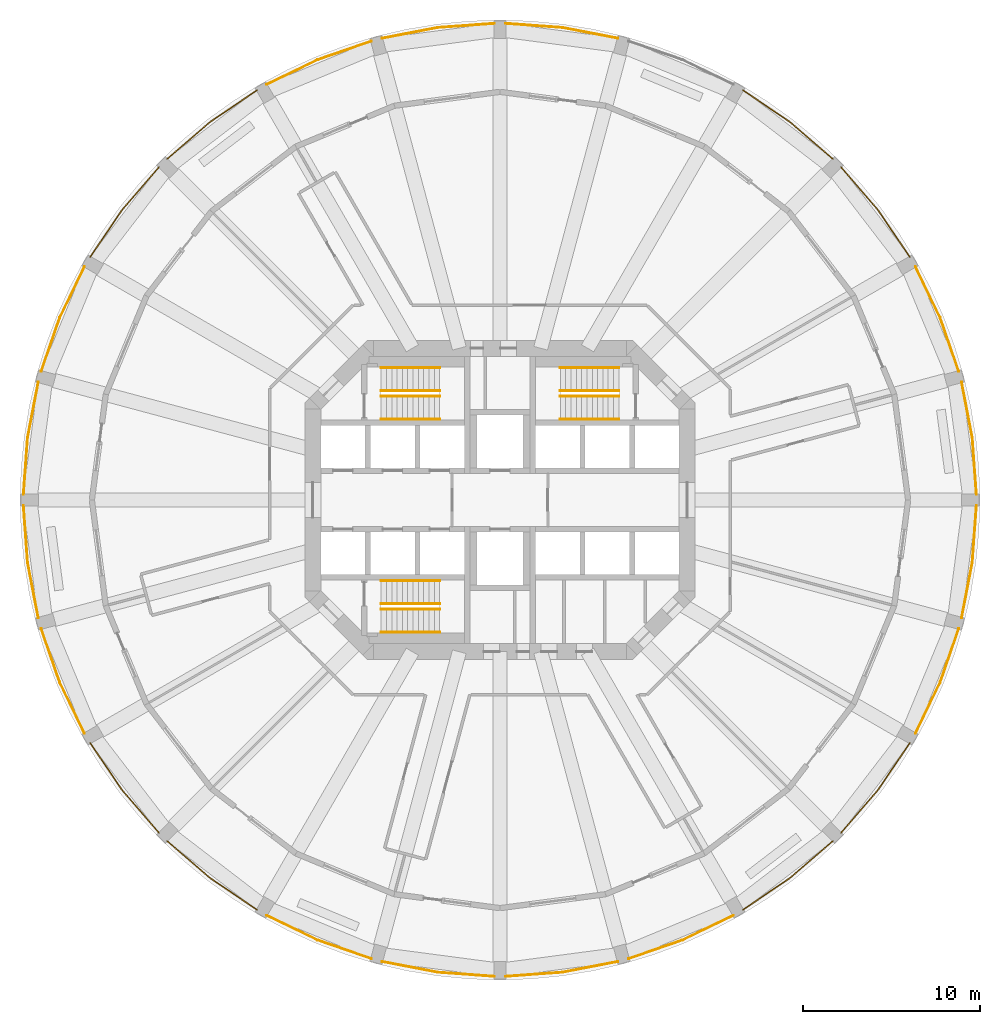
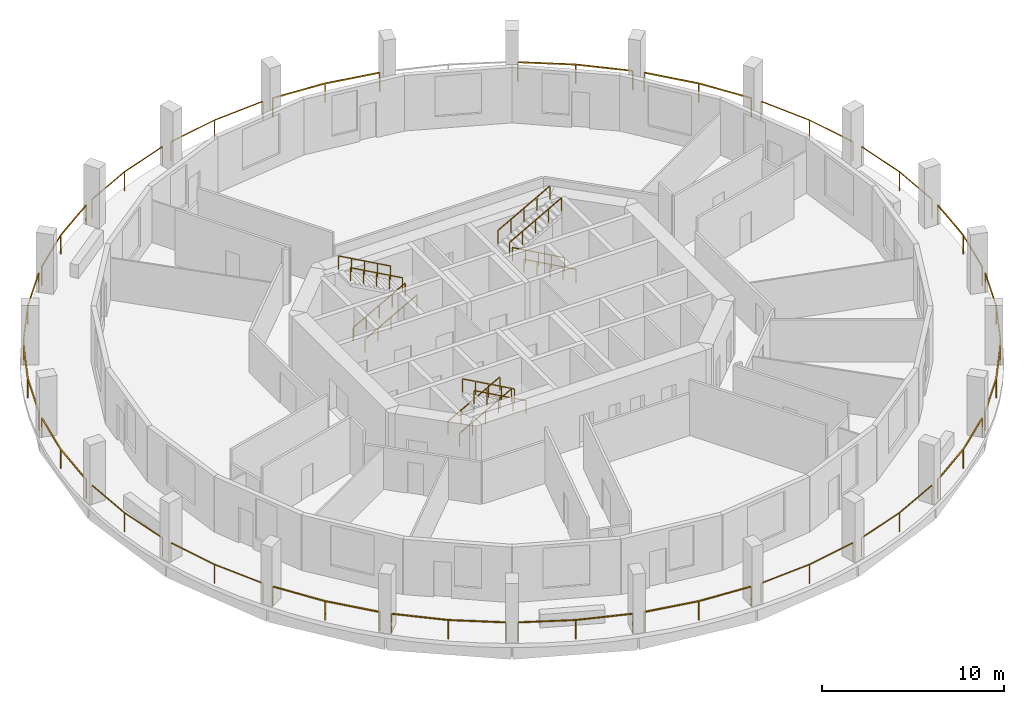
# One storey, part 8 of 9: 35 railings.
"""IFC4 building model written with IfcOpenShell, lengths in metres."""

import ifcopenshell
import ifcopenshell.guid

model = None  # the IFC model being written
_history = None  # IfcOwnerHistory: only IFC2X3 demands one
_inside = {}  # id of a spatial element -> (the spatial element, [elements in it])
_under = {}  # id of a project, library or spatial element -> (it, [spatial elements below it])
_declared = {}  # id of a project -> (the project, [libraries it declares])
_typed = {}  # id of a type object -> (the type object, [elements of that type])
_made_of = {}  # id of a material, layer set ... -> (it, [elements and type objects made of it])


def new_model(schema):
    """Start an empty IFC model of exactly this schema.

    Asked for "IFC4X3", IfcOpenShell would pick the latest addendum, in which some entities
    have other attributes; the version numbers below select the first issue.
    IFC2X3 requires an IfcOwnerHistory on every rooted entity: one is made here for all.
    """
    global model, _history
    if schema == "IFC4X3":
        model = ifcopenshell.file(schema_version=(4, 3, 0, 0))
    else:
        model = ifcopenshell.file(schema=schema)
    _inside.clear()
    _under.clear()
    _declared.clear()
    _typed.clear()
    _made_of.clear()
    _history = None
    if model.schema == "IFC2X3":
        org = make("IfcOrganization", Name="unknown")
        user = make(
            "IfcPersonAndOrganization",
            ThePerson=make("IfcPerson", FamilyName="unknown"),
            TheOrganization=org,
        )
        app = make(
            "IfcApplication",
            ApplicationDeveloper=org,
            Version="unknown",
            ApplicationFullName="unknown",
            ApplicationIdentifier="unknown",
        )
        _history = make(
            "IfcOwnerHistory",
            OwningUser=user,
            OwningApplication=app,
            ChangeAction="ADDED",
            CreationDate=0,
        )
    return model


def make(cls, **values):
    """One entity of the class cls with the attributes given. An attribute that is None is left unset."""
    return model.create_entity(
        cls, **{name: value for name, value in values.items() if value is not None}
    )


def rooted(cls, **values):
    """An entity with a GlobalId (a new one), such as an element, a storey or a relation."""
    return make(cls, GlobalId=ifcopenshell.guid.new(), OwnerHistory=_history, **values)


def si_unit(unit_type, name, prefix=None):
    """IfcSIUnit, for example si_unit("LENGTHUNIT", "METRE", prefix="MILLI")."""
    return make("IfcSIUnit", UnitType=unit_type, Prefix=prefix, Name=name)


def assignment(units):
    """IfcUnitAssignment: the units of a project."""
    return None if units is None else make("IfcUnitAssignment", Units=units)


def point(xyz):
    """IfcCartesianPoint."""
    return None if xyz is None else make("IfcCartesianPoint", Coordinates=xyz)


def direction(xyz):
    """IfcDirection."""
    return None if xyz is None else make("IfcDirection", DirectionRatios=xyz)


def frame(location, z_axis=None, x_axis=None):
    """IfcAxis2Placement3D, a coordinate frame: its origin and axes. An axis left out is left unset."""
    return make(
        "IfcAxis2Placement3D",
        Location=point(location),
        Axis=direction(z_axis),
        RefDirection=direction(x_axis),
    )


def frame_2d(location, x_axis=None):
    """IfcAxis2Placement2D, a coordinate frame in the plane: its origin and x axis."""
    return make(
        "IfcAxis2Placement2D", Location=point(location), RefDirection=direction(x_axis)
    )


def origin():
    """The frame at (0, 0, 0) with its axes left unset."""
    return frame((0.0, 0.0, 0.0))


def origin_2d():
    """The frame at (0, 0) in the plane with its x axis left unset."""
    return frame_2d((0.0, 0.0))


def place(relative_to, where):
    """IfcLocalPlacement: puts the frame where relative to a parent placement (None: the world)."""
    return make(
        "IfcLocalPlacement", PlacementRelTo=relative_to, RelativePlacement=where
    )


def context(
    kind, dimensions, precision=None, world=None, true_north=None, identifier=None
):
    """IfcGeometricRepresentationContext, for example the 3D "Model" context."""
    return make(
        "IfcGeometricRepresentationContext",
        ContextIdentifier=identifier,
        ContextType=kind,
        CoordinateSpaceDimension=dimensions,
        Precision=precision,
        WorldCoordinateSystem=world,
        TrueNorth=true_north,
    )


def subcontext(parent, identifier, kind, view, scale=None):
    """IfcGeometricRepresentationSubContext, for example "Body" below "Model"."""
    return make(
        "IfcGeometricRepresentationSubContext",
        ContextIdentifier=identifier,
        ContextType=kind,
        ParentContext=parent,
        TargetScale=scale,
        TargetView=view,
    )


def project(units=None, contexts=None):
    """IfcProject with its units and contexts."""
    return rooted(
        "IfcProject",
        Name="project",
        RepresentationContexts=contexts,
        UnitsInContext=assignment(units),
    )


def spatial(cls, under=None, at=None, **own):
    """A site, building, storey or space (cls), placed at a placement, below another one or the project."""
    s = rooted(cls, ObjectPlacement=at, **own)
    if under is not None:
        _under.setdefault(under.id(), (under, []))[1].append(s)
    return s


def profile(cls, at=None, kind="AREA", **sizes):
    """A parametric profile (cls). Its sizes go by their IFC names, for example OverallWidth=200.0."""
    return make(cls, ProfileType=kind, Position=at, **sizes)


def rectangle(**sizes):
    """IfcRectangleProfileDef."""
    return profile("IfcRectangleProfileDef", **sizes)


def extrude(swept, where, along, depth):
    """IfcExtrudedAreaSolid: the profile swept, set in the frame where, extruded along a direction by depth."""
    return make(
        "IfcExtrudedAreaSolid",
        SweptArea=swept,
        Position=where,
        ExtrudedDirection=direction(along),
        Depth=depth,
    )


def shape(context_of_items, identifier, shape_type, items):
    """IfcShapeRepresentation: the items that make up one representation, for example the "Body"."""
    return make(
        "IfcShapeRepresentation",
        ContextOfItems=context_of_items,
        RepresentationIdentifier=identifier,
        RepresentationType=shape_type,
        Items=items,
    )


def material(Name=None, Category=None):
    """IfcMaterial."""
    return make("IfcMaterial", Name=Name, Category=Category)


def made_of(thing, what):
    """Note that an element or type object is made of a material, layer set ...; save() writes the relation."""
    if what is not None:
        _made_of.setdefault(what.id(), (what, []))[1].append(thing)
    return thing


def type_object(cls, material=None, **own):
    """A type object (cls), such as IfcWallType, which elements share."""
    return made_of(rooted(cls, **own), material)


def element(
    cls,
    number,
    at=None,
    inside=None,
    cuts=None,
    type_object=None,
    material=None,
    context=None,
    identifier="Body",
    shape_type=None,
    held_by="IfcProductDefinitionShape",
    body=None,
    shapes=None,
    **own,
):
    """One element of the class cls, such as IfcWall. Its Tag is "e" and its number.

    at: its placement. inside: the storey or other place that contains it. cuts: it is an
    opening in that element (IfcRelVoidsElement). A single representation is given by context,
    identifier, shape_type and body (its items); several are given by shapes. held_by: the class
    of the entity that holds the representations. save() writes the other relations.
    """
    e = rooted(cls, Tag="e%d" % number, ObjectPlacement=at, **own)
    if body is not None:
        shapes = [shape(context, identifier, shape_type, body)]
    if shapes is not None:
        e.Representation = make(held_by, Representations=shapes)
    if inside is not None:
        _inside.setdefault(inside.id(), (inside, []))[1].append(e)
    if cuts is not None:
        rooted(
            "IfcRelVoidsElement", RelatingBuildingElement=cuts, RelatedOpeningElement=e
        )
    if type_object is not None:
        _typed.setdefault(type_object.id(), (type_object, []))[1].append(e)
    return made_of(e, material)


def aggregate(whole, parts):
    """IfcRelAggregates: a whole, such as a stair, and the parts it consists of."""
    return rooted("IfcRelAggregates", RelatingObject=whole, RelatedObjects=parts)


def save(model, path):
    """Write the relations noted so far, then the file.

    IfcRelAggregates (storeys below a building ...), IfcRelContainedInSpatialStructure (elements
    in a storey), IfcRelDefinesByType, IfcRelAssociatesMaterial and IfcRelDeclares: one each for
    every whole, place, type object, material and project.
    """
    for whole, parts in _under.values():
        aggregate(whole, parts)
    for where, things in _inside.values():
        rooted(
            "IfcRelContainedInSpatialStructure",
            RelatedElements=things,
            RelatingStructure=where,
        )
    for kind, things in _typed.values():
        rooted("IfcRelDefinesByType", RelatedObjects=things, RelatingType=kind)
    for what, things in _made_of.values():
        rooted("IfcRelAssociatesMaterial", RelatedObjects=things, RelatingMaterial=what)
    for by, libraries in _declared.values():
        rooted("IfcRelDeclares", RelatingContext=by, RelatedDefinitions=libraries)
    model.write(path)


model = new_model("IFC4")

# Units and contexts
model_context = context("Model", 3, precision=1e-05, world=origin(), true_north=direction((0.0, 1.0)))
body_context = subcontext(model_context, "Body", "Model", "MODEL_VIEW")
ifc_project = project(units=[si_unit("LENGTHUNIT", "METRE"), si_unit("AREAUNIT", "SQUARE_METRE"), si_unit("VOLUMEUNIT", "CUBIC_METRE"), si_unit("PLANEANGLEUNIT", "RADIAN"), si_unit("MASSUNIT", "GRAM", prefix="KILO")], contexts=[model_context])

# Site, building, storey
site_placement = place(None, origin())
site = spatial("IfcSite", under=ifc_project, at=site_placement, CompositionType="ELEMENT")
building_placement = place(site_placement, origin())
building = spatial("IfcBuilding", under=site, at=building_placement, Name="Torre Triforio", CompositionType="ELEMENT")
storey_placement = place(building_placement, frame((0.0, 0.0, 63.0)))
storey = spatial("IfcBuildingStorey", under=building, at=storey_placement, Name="L13", CompositionType="ELEMENT", Elevation=63.0)

# Railings
ifc_material = material(Name="Stainless steel AISI 316", Category="steel")
railing_type_1 = type_object("IfcRailingType", Name="HANDRAIL 920", PredefinedType="HANDRAIL", material=ifc_material)
for number, where, name in (
    (1, (-6.699951171875, 4.550048828125, 0.166748046875), "Handrail ST1"),
    (2, (-6.699951171875, 5.85009765625, 0.166748046875), "Handrail ST1"),
):
    element("IfcRailing", number, at=place(storey_placement, frame(where)), inside=storey, type_object=railing_type_1, Name=name, PredefinedType="HANDRAIL", context=body_context, shape_type="SweptSolid", body=[
        extrude(rectangle(XDim=0.048095703125, YDim=0.048095703125, at=origin_2d()), frame((0.0, 0.0, 0.89599609375), z_axis=(0.874169478083, 0.0, 0.485620966999), x_axis=(0.0, 1.0, 0.0)), (0.0, 0.0, 1.0), 3.775146484375),
        extrude(rectangle(XDim=0.0419921875, YDim=0.0419921875, at=origin_2d()), origin(), (0.0, 0.0, 1.0), 0.871826171875),
        extrude(rectangle(XDim=0.0419921875, YDim=0.0419921875, at=origin_2d()), frame((0.824951171875, 0.0, 0.458251953125)), (0.0, 0.0, 1.0), 0.871826171875),
        extrude(rectangle(XDim=0.0419921875, YDim=0.0419921875, at=origin_2d()), frame((1.64990234375, 0.0, 0.91650390625)), (0.0, 0.0, 1.0), 0.871826171875),
        extrude(rectangle(XDim=0.0419921875, YDim=0.0419921875, at=origin_2d()), frame((2.47509765625, 0.0, 1.375)), (0.0, 0.0, 1.0), 0.871826171875),
        extrude(rectangle(XDim=0.0419921875, YDim=0.0419921875, at=origin_2d()), frame((3.300048828125, 0.0, 1.833251953125)), (0.0, 0.0, 1.0), 0.871826171875),
    ])
for number, where, name in (
    (3, (-3.39990234375, 7.449951171875, 2.166748046875), "Handrail ST1"),
    (4, (-3.39990234375, 6.14990234375, 2.166748046875), "Handrail ST1"),
    (5, (6.699951171875, 4.550048828125, 0.166748046875), "Handrail ST2"),
    (6, (6.699951171875, 5.85009765625, 0.166748046875), "Handrail ST2"),
):
    element("IfcRailing", number, at=place(storey_placement, frame(where)), inside=storey, type_object=railing_type_1, Name=name, PredefinedType="HANDRAIL", context=body_context, shape_type="SweptSolid", body=[
        extrude(rectangle(XDim=0.048095703125, YDim=0.048095703125, at=origin_2d()), frame((0.0, 0.0, 0.89599609375), z_axis=(-0.874169478083, 0.0, 0.485620966999), x_axis=(0.0, -1.0, 0.0)), (0.0, 0.0, 1.0), 3.775146484375),
        extrude(rectangle(XDim=0.0419921875, YDim=0.0419921875, at=origin_2d()), origin(), (0.0, 0.0, 1.0), 0.871826171875),
        extrude(rectangle(XDim=0.0419921875, YDim=0.0419921875, at=origin_2d()), frame((-0.824951171875, 0.0, 0.458251953125)), (0.0, 0.0, 1.0), 0.871826171875),
        extrude(rectangle(XDim=0.0419921875, YDim=0.0419921875, at=origin_2d()), frame((-1.64990234375, 0.0, 0.91650390625)), (0.0, 0.0, 1.0), 0.871826171875),
        extrude(rectangle(XDim=0.0419921875, YDim=0.0419921875, at=origin_2d()), frame((-2.47509765625, 0.0, 1.375)), (0.0, 0.0, 1.0), 0.871826171875),
        extrude(rectangle(XDim=0.0419921875, YDim=0.0419921875, at=origin_2d()), frame((-3.300048828125, 0.0, 1.833251953125)), (0.0, 0.0, 1.0), 0.871826171875),
    ])
for number, where, name in (
    (7, (3.39990234375, 7.449951171875, 2.166748046875), "Handrail ST2"),
    (8, (3.39990234375, 6.14990234375, 2.166748046875), "Handrail ST2"),
    (9, (-6.699951171875, -4.550048828125, 0.166748046875), "Handrail ST3"),
    (10, (-6.699951171875, -5.85009765625, 0.166748046875), "Handrail ST3"),
):
    element("IfcRailing", number, at=place(storey_placement, frame(where)), inside=storey, type_object=railing_type_1, Name=name, PredefinedType="HANDRAIL", context=body_context, shape_type="SweptSolid", body=[
        extrude(rectangle(XDim=0.048095703125, YDim=0.048095703125, at=origin_2d()), frame((0.0, 0.0, 0.89599609375), z_axis=(0.874169478083, 0.0, 0.485620966999), x_axis=(0.0, 1.0, 0.0)), (0.0, 0.0, 1.0), 3.775146484375),
        extrude(rectangle(XDim=0.0419921875, YDim=0.0419921875, at=origin_2d()), origin(), (0.0, 0.0, 1.0), 0.871826171875),
        extrude(rectangle(XDim=0.0419921875, YDim=0.0419921875, at=origin_2d()), frame((0.824951171875, 0.0, 0.458251953125)), (0.0, 0.0, 1.0), 0.871826171875),
        extrude(rectangle(XDim=0.0419921875, YDim=0.0419921875, at=origin_2d()), frame((1.64990234375, 0.0, 0.91650390625)), (0.0, 0.0, 1.0), 0.871826171875),
        extrude(rectangle(XDim=0.0419921875, YDim=0.0419921875, at=origin_2d()), frame((2.47509765625, 0.0, 1.375)), (0.0, 0.0, 1.0), 0.871826171875),
        extrude(rectangle(XDim=0.0419921875, YDim=0.0419921875, at=origin_2d()), frame((3.300048828125, 0.0, 1.833251953125)), (0.0, 0.0, 1.0), 0.871826171875),
    ])
for number, where, name in (
    (11, (-3.39990234375, -7.449951171875, 2.166748046875), "Handrail ST3"),
    (12, (-3.39990234375, -6.14990234375, 2.166748046875), "Handrail ST3"),
):
    element("IfcRailing", number, at=place(storey_placement, frame(where)), inside=storey, type_object=railing_type_1, Name=name, PredefinedType="HANDRAIL", context=body_context, shape_type="SweptSolid", body=[
        extrude(rectangle(XDim=0.048095703125, YDim=0.048095703125, at=origin_2d()), frame((0.0, 0.0, 0.89599609375), z_axis=(-0.874169478083, 0.0, 0.485620966999), x_axis=(0.0, -1.0, 0.0)), (0.0, 0.0, 1.0), 3.775146484375),
        extrude(rectangle(XDim=0.0419921875, YDim=0.0419921875, at=origin_2d()), origin(), (0.0, 0.0, 1.0), 0.871826171875),
        extrude(rectangle(XDim=0.0419921875, YDim=0.0419921875, at=origin_2d()), frame((-0.824951171875, 0.0, 0.458251953125)), (0.0, 0.0, 1.0), 0.871826171875),
        extrude(rectangle(XDim=0.0419921875, YDim=0.0419921875, at=origin_2d()), frame((-1.64990234375, 0.0, 0.91650390625)), (0.0, 0.0, 1.0), 0.871826171875),
        extrude(rectangle(XDim=0.0419921875, YDim=0.0419921875, at=origin_2d()), frame((-2.47509765625, 0.0, 1.375)), (0.0, 0.0, 1.0), 0.871826171875),
        extrude(rectangle(XDim=0.0419921875, YDim=0.0419921875, at=origin_2d()), frame((-3.300048828125, 0.0, 1.833251953125)), (0.0, 0.0, 1.0), 0.871826171875),
    ])
railing_type_2 = type_object("IfcRailingType", Name="Loggia guard 1300", PredefinedType="GUARDRAIL", material=ifc_material)
railing_1_placement = place(storey_placement, frame((26.85009765625, 0.320068359375, 0.0)))
element("IfcRailing", 13, at=railing_1_placement, inside=storey, type_object=railing_type_2, Name="Loggia guard L13 bay 01", PredefinedType="GUARDRAIL", context=body_context, shape_type="SweptSolid", body=[
    extrude(rectangle(XDim=0.050048828125, YDim=0.050048828125, at=origin_2d()), frame((0.0, 0.0, 1.27490234375), z_axis=(-0.071953458998, 0.997407990613, 0.0), x_axis=(-0.997407990613, -0.071953458998, 0.0)), (0.0, 0.0, 1.0), 3.19287109375),
    extrude(rectangle(XDim=0.050048828125, YDim=0.050048828125, at=origin_2d()), frame((-0.229736328125, 3.1845703125, 1.27490234375), z_axis=(-0.188714097365, 0.982032071501, 0.0), x_axis=(-0.982032071501, -0.188714097365, 0.0)), (0.0, 0.0, 1.0), 3.19287109375),
    extrude(rectangle(XDim=0.0400390625, YDim=0.0400390625, at=origin_2d()), origin(), (0.0, 0.0, 1.0), 1.25),
    extrude(rectangle(XDim=0.0400390625, YDim=0.0400390625, at=origin_2d()), frame((-0.229736328125, 3.1845703125, 0.0)), (0.0, 0.0, 1.0), 1.25),
    extrude(rectangle(XDim=0.0400390625, YDim=0.0400390625, at=origin_2d()), frame((-0.832275390625, 6.320068359375, 0.0)), (0.0, 0.0, 1.0), 1.25),
])
railing_2_placement = place(storey_placement, frame((25.852294921875, 7.25830078125, 0.0)))
element("IfcRailing", 14, at=railing_2_placement, inside=storey, type_object=railing_type_2, Name="Loggia guard L13 bay 02", PredefinedType="GUARDRAIL", context=body_context, shape_type="SweptSolid", body=[
    extrude(rectangle(XDim=0.050048828125, YDim=0.050048828125, at=origin_2d()), frame((0.0, 0.0, 1.27490234375), z_axis=(-0.327627852034, 0.94480685358, 0.0), x_axis=(-0.94480685358, -0.327627852034, 0.0)), (0.0, 0.0, 1.0), 3.193115234375),
    extrude(rectangle(XDim=0.050048828125, YDim=0.050048828125, at=origin_2d()), frame((-1.046142578125, 3.016845703125, 1.27490234375), z_axis=(-0.436384192305, 0.899760432952, 0.0), x_axis=(-0.899760432952, -0.436384192305, 0.0)), (0.0, 0.0, 1.0), 3.19287109375),
    extrude(rectangle(XDim=0.0400390625, YDim=0.0400390625, at=origin_2d()), origin(), (0.0, 0.0, 1.0), 1.25),
    extrude(rectangle(XDim=0.0400390625, YDim=0.0400390625, at=origin_2d()), frame((-1.046142578125, 3.016845703125, 0.0)), (0.0, 0.0, 1.0), 1.25),
    extrude(rectangle(XDim=0.0400390625, YDim=0.0400390625, at=origin_2d()), frame((-2.439453125, 5.8896484375, 0.0)), (0.0, 0.0, 1.0), 1.25),
])
railing_3_placement = place(storey_placement, frame((23.0927734375, 13.7021484375, 0.0)))
element("IfcRailing", 15, at=railing_3_placement, inside=storey, type_object=railing_type_2, Name="Loggia guard L13 bay 03", PredefinedType="GUARDRAIL", context=body_context, shape_type="SweptSolid", body=[
    extrude(rectangle(XDim=0.050048828125, YDim=0.050048828125, at=origin_2d()), frame((0.0, 0.0, 1.27490234375), z_axis=(-0.561018896338, 0.82780299465, 0.0), x_axis=(-0.82780299465, -0.561018896338, 0.0)), (0.0, 0.0, 1.0), 3.19287109375),
    extrude(rectangle(XDim=0.050048828125, YDim=0.050048828125, at=origin_2d()), frame((-1.791259765625, 2.64306640625, 1.27490234375), z_axis=(-0.654385993255, 0.756160678581, 0.0), x_axis=(-0.756160678581, -0.654385993255, 0.0)), (0.0, 0.0, 1.0), 3.19287109375),
    extrude(rectangle(XDim=0.0400390625, YDim=0.0400390625, at=origin_2d()), origin(), (0.0, 0.0, 1.0), 1.25),
    extrude(rectangle(XDim=0.0400390625, YDim=0.0400390625, at=origin_2d()), frame((-1.791259765625, 2.64306640625, 0.0)), (0.0, 0.0, 1.0), 1.25),
    extrude(rectangle(XDim=0.0400390625, YDim=0.0400390625, at=origin_2d()), frame((-3.880615234375, 5.057373046875, 0.0)), (0.0, 0.0, 1.0), 1.25),
])
railing_4_placement = place(storey_placement, frame((18.759521484375, 19.212158203125, 0.0)))
element("IfcRailing", 16, at=railing_4_placement, inside=storey, type_object=railing_type_2, Name="Loggia guard L13 bay 04", PredefinedType="GUARDRAIL", context=body_context, shape_type="SweptSolid", body=[
    extrude(rectangle(XDim=0.050048828125, YDim=0.050048828125, at=origin_2d()), frame((0.0, 0.0, 1.27490234375), z_axis=(-0.756160678581, 0.654385993255, 0.0), x_axis=(-0.654385993255, -0.756160678581, 0.0)), (0.0, 0.0, 1.0), 3.19287109375),
    extrude(rectangle(XDim=0.050048828125, YDim=0.050048828125, at=origin_2d()), frame((-2.414306640625, 2.08935546875, 1.27490234375), z_axis=(-0.82780299465, 0.561018896338, 0.0), x_axis=(-0.561018896338, -0.82780299465, 0.0)), (0.0, 0.0, 1.0), 3.19287109375),
    extrude(rectangle(XDim=0.0400390625, YDim=0.0400390625, at=origin_2d()), origin(), (0.0, 0.0, 1.0), 1.25),
    extrude(rectangle(XDim=0.0400390625, YDim=0.0400390625, at=origin_2d()), frame((-2.414306640625, 2.08935546875, 0.0)), (0.0, 0.0, 1.0), 1.25),
    extrude(rectangle(XDim=0.0400390625, YDim=0.0400390625, at=origin_2d()), frame((-5.057373046875, 3.880615234375, 0.0)), (0.0, 0.0, 1.0), 1.25),
])
railing_5_placement = place(storey_placement, frame((6.64013671875, 26.017822265625, 0.0)))
element("IfcRailing", 17, at=railing_5_placement, inside=storey, type_object=railing_type_2, Name="Loggia guard L13 bay 06", PredefinedType="GUARDRAIL", context=body_context, shape_type="SweptSolid", body=[
    extrude(rectangle(XDim=0.050048828125, YDim=0.050048828125, at=origin_2d()), frame((0.0, 0.0, 1.27490234375), z_axis=(-0.982032071501, 0.188714097365, 0.0), x_axis=(-0.188714097365, -0.982032071501, 0.0)), (0.0, 0.0, 1.0), 3.19287109375),
    extrude(rectangle(XDim=0.050048828125, YDim=0.050048828125, at=origin_2d()), frame((-3.135498046875, 0.6025390625, 1.27490234375), z_axis=(-0.997407990613, 0.071953458998, 0.0), x_axis=(-0.071953458998, -0.997407990613, 0.0)), (0.0, 0.0, 1.0), 3.19287109375),
    extrude(rectangle(XDim=0.0400390625, YDim=0.0400390625, at=origin_2d()), origin(), (0.0, 0.0, 1.0), 1.25),
    extrude(rectangle(XDim=0.0400390625, YDim=0.0400390625, at=origin_2d()), frame((-3.135498046875, 0.6025390625, 0.0)), (0.0, 0.0, 1.0), 1.25),
    extrude(rectangle(XDim=0.0400390625, YDim=0.0400390625, at=origin_2d()), frame((-6.320068359375, 0.832275390625, 0.0)), (0.0, 0.0, 1.0), 1.25),
])
railing_6_placement = place(storey_placement, frame((-0.320068359375, 26.85009765625, 0.0)))
element("IfcRailing", 18, at=railing_6_placement, inside=storey, type_object=railing_type_2, Name="Loggia guard L13 bay 07", PredefinedType="GUARDRAIL", context=body_context, shape_type="SweptSolid", body=[
    extrude(rectangle(XDim=0.050048828125, YDim=0.050048828125, at=origin_2d()), frame((0.0, 0.0, 1.27490234375), z_axis=(-0.997407990613, -0.071953458998, 0.0), x_axis=(0.071953458998, -0.997407990613, 0.0)), (0.0, 0.0, 1.0), 3.19287109375),
    extrude(rectangle(XDim=0.050048828125, YDim=0.050048828125, at=origin_2d()), frame((-3.1845703125, -0.229736328125, 1.27490234375), z_axis=(-0.982032071501, -0.188714097365, 0.0), x_axis=(0.188714097365, -0.982032071501, 0.0)), (0.0, 0.0, 1.0), 3.19287109375),
    extrude(rectangle(XDim=0.0400390625, YDim=0.0400390625, at=origin_2d()), origin(), (0.0, 0.0, 1.0), 1.25),
    extrude(rectangle(XDim=0.0400390625, YDim=0.0400390625, at=origin_2d()), frame((-3.1845703125, -0.229736328125, 0.0)), (0.0, 0.0, 1.0), 1.25),
    extrude(rectangle(XDim=0.0400390625, YDim=0.0400390625, at=origin_2d()), frame((-6.320068359375, -0.832275390625, 0.0)), (0.0, 0.0, 1.0), 1.25),
])
railing_7_placement = place(storey_placement, frame((-7.25830078125, 25.852294921875, 0.0)))
element("IfcRailing", 19, at=railing_7_placement, inside=storey, type_object=railing_type_2, Name="Loggia guard L13 bay 08", PredefinedType="GUARDRAIL", context=body_context, shape_type="SweptSolid", body=[
    extrude(rectangle(XDim=0.050048828125, YDim=0.050048828125, at=origin_2d()), frame((0.0, 0.0, 1.27490234375), z_axis=(-0.94480685358, -0.327627852034, 0.0), x_axis=(0.327627852034, -0.94480685358, 0.0)), (0.0, 0.0, 1.0), 3.193115234375),
    extrude(rectangle(XDim=0.050048828125, YDim=0.050048828125, at=origin_2d()), frame((-3.016845703125, -1.046142578125, 1.27490234375), z_axis=(-0.899760432952, -0.436384192305, 0.0), x_axis=(0.436384192305, -0.899760432952, 0.0)), (0.0, 0.0, 1.0), 3.19287109375),
    extrude(rectangle(XDim=0.0400390625, YDim=0.0400390625, at=origin_2d()), origin(), (0.0, 0.0, 1.0), 1.25),
    extrude(rectangle(XDim=0.0400390625, YDim=0.0400390625, at=origin_2d()), frame((-3.016845703125, -1.046142578125, 0.0)), (0.0, 0.0, 1.0), 1.25),
    extrude(rectangle(XDim=0.0400390625, YDim=0.0400390625, at=origin_2d()), frame((-5.8896484375, -2.439453125, 0.0)), (0.0, 0.0, 1.0), 1.25),
])
railing_8_placement = place(storey_placement, frame((-13.7021484375, 23.0927734375, 0.0)))
element("IfcRailing", 20, at=railing_8_placement, inside=storey, type_object=railing_type_2, Name="Loggia guard L13 bay 09", PredefinedType="GUARDRAIL", context=body_context, shape_type="SweptSolid", body=[
    extrude(rectangle(XDim=0.050048828125, YDim=0.050048828125, at=origin_2d()), frame((0.0, 0.0, 1.27490234375), z_axis=(-0.82780299465, -0.561018896338, 0.0), x_axis=(0.561018896338, -0.82780299465, 0.0)), (0.0, 0.0, 1.0), 3.19287109375),
    extrude(rectangle(XDim=0.050048828125, YDim=0.050048828125, at=origin_2d()), frame((-2.64306640625, -1.791259765625, 1.27490234375), z_axis=(-0.756160678581, -0.654385993255, 0.0), x_axis=(0.654385993255, -0.756160678581, 0.0)), (0.0, 0.0, 1.0), 3.19287109375),
    extrude(rectangle(XDim=0.0400390625, YDim=0.0400390625, at=origin_2d()), origin(), (0.0, 0.0, 1.0), 1.25),
    extrude(rectangle(XDim=0.0400390625, YDim=0.0400390625, at=origin_2d()), frame((-2.64306640625, -1.791259765625, 0.0)), (0.0, 0.0, 1.0), 1.25),
    extrude(rectangle(XDim=0.0400390625, YDim=0.0400390625, at=origin_2d()), frame((-5.057373046875, -3.880615234375, 0.0)), (0.0, 0.0, 1.0), 1.25),
])
railing_9_placement = place(storey_placement, frame((-19.212158203125, 18.759521484375, 0.0)))
element("IfcRailing", 21, at=railing_9_placement, inside=storey, type_object=railing_type_2, Name="Loggia guard L13 bay 10", PredefinedType="GUARDRAIL", context=body_context, shape_type="SweptSolid", body=[
    extrude(rectangle(XDim=0.050048828125, YDim=0.050048828125, at=origin_2d()), frame((0.0, 0.0, 1.27490234375), z_axis=(-0.654385993255, -0.756160678581, 0.0), x_axis=(0.756160678581, -0.654385993255, 0.0)), (0.0, 0.0, 1.0), 3.19287109375),
    extrude(rectangle(XDim=0.050048828125, YDim=0.050048828125, at=origin_2d()), frame((-2.08935546875, -2.414306640625, 1.27490234375), z_axis=(-0.561018896338, -0.82780299465, 0.0), x_axis=(0.82780299465, -0.561018896338, 0.0)), (0.0, 0.0, 1.0), 3.19287109375),
    extrude(rectangle(XDim=0.0400390625, YDim=0.0400390625, at=origin_2d()), origin(), (0.0, 0.0, 1.0), 1.25),
    extrude(rectangle(XDim=0.0400390625, YDim=0.0400390625, at=origin_2d()), frame((-2.08935546875, -2.414306640625, 0.0)), (0.0, 0.0, 1.0), 1.25),
    extrude(rectangle(XDim=0.0400390625, YDim=0.0400390625, at=origin_2d()), frame((-3.880615234375, -5.057373046875, 0.0)), (0.0, 0.0, 1.0), 1.25),
])
railing_10_placement = place(storey_placement, frame((-23.412841796875, 13.14794921875, 0.0)))
element("IfcRailing", 22, at=railing_10_placement, inside=storey, type_object=railing_type_2, Name="Loggia guard L13 bay 11", PredefinedType="GUARDRAIL", context=body_context, shape_type="SweptSolid", body=[
    extrude(rectangle(XDim=0.050048828125, YDim=0.050048828125, at=origin_2d()), frame((0.0, 0.0, 1.27490234375), z_axis=(-0.436384192305, -0.899760432952, 0.0), x_axis=(0.899760432952, -0.436384192305, 0.0)), (0.0, 0.0, 1.0), 3.19287109375),
    extrude(rectangle(XDim=0.050048828125, YDim=0.050048828125, at=origin_2d()), frame((-1.393310546875, -2.872802734375, 1.27490234375), z_axis=(-0.327627852034, -0.94480685358, 0.0), x_axis=(0.94480685358, -0.327627852034, 0.0)), (0.0, 0.0, 1.0), 3.193115234375),
    extrude(rectangle(XDim=0.0400390625, YDim=0.0400390625, at=origin_2d()), origin(), (0.0, 0.0, 1.0), 1.25),
    extrude(rectangle(XDim=0.0400390625, YDim=0.0400390625, at=origin_2d()), frame((-1.393310546875, -2.872802734375, 0.0)), (0.0, 0.0, 1.0), 1.25),
    extrude(rectangle(XDim=0.0400390625, YDim=0.0400390625, at=origin_2d()), frame((-2.439453125, -5.8896484375, 0.0)), (0.0, 0.0, 1.0), 1.25),
])
railing_11_placement = place(storey_placement, frame((-26.017822265625, 6.64013671875, 0.0)))
element("IfcRailing", 23, at=railing_11_placement, inside=storey, type_object=railing_type_2, Name="Loggia guard L13 bay 12", PredefinedType="GUARDRAIL", context=body_context, shape_type="SweptSolid", body=[
    extrude(rectangle(XDim=0.050048828125, YDim=0.050048828125, at=origin_2d()), frame((0.0, 0.0, 1.27490234375), z_axis=(-0.188714097365, -0.982032071501, 0.0), x_axis=(0.982032071501, -0.188714097365, 0.0)), (0.0, 0.0, 1.0), 3.19287109375),
    extrude(rectangle(XDim=0.050048828125, YDim=0.050048828125, at=origin_2d()), frame((-0.6025390625, -3.135498046875, 1.27490234375), z_axis=(-0.071953458998, -0.997407990613, 0.0), x_axis=(0.997407990613, -0.071953458998, 0.0)), (0.0, 0.0, 1.0), 3.19287109375),
    extrude(rectangle(XDim=0.0400390625, YDim=0.0400390625, at=origin_2d()), origin(), (0.0, 0.0, 1.0), 1.25),
    extrude(rectangle(XDim=0.0400390625, YDim=0.0400390625, at=origin_2d()), frame((-0.6025390625, -3.135498046875, 0.0)), (0.0, 0.0, 1.0), 1.25),
    extrude(rectangle(XDim=0.0400390625, YDim=0.0400390625, at=origin_2d()), frame((-0.832275390625, -6.320068359375, 0.0)), (0.0, 0.0, 1.0), 1.25),
])
railing_12_placement = place(storey_placement, frame((-26.85009765625, -0.320068359375, 0.0)))
element("IfcRailing", 24, at=railing_12_placement, inside=storey, type_object=railing_type_2, Name="Loggia guard L13 bay 13", PredefinedType="GUARDRAIL", context=body_context, shape_type="SweptSolid", body=[
    extrude(rectangle(XDim=0.050048828125, YDim=0.050048828125, at=origin_2d()), frame((0.0, 0.0, 1.27490234375), z_axis=(0.071953458998, -0.997407990613, 0.0), x_axis=(0.997407990613, 0.071953458998, 0.0)), (0.0, 0.0, 1.0), 3.19287109375),
    extrude(rectangle(XDim=0.050048828125, YDim=0.050048828125, at=origin_2d()), frame((0.229736328125, -3.1845703125, 1.27490234375), z_axis=(0.188714097365, -0.982032071501, 0.0), x_axis=(0.982032071501, 0.188714097365, 0.0)), (0.0, 0.0, 1.0), 3.19287109375),
    extrude(rectangle(XDim=0.0400390625, YDim=0.0400390625, at=origin_2d()), origin(), (0.0, 0.0, 1.0), 1.25),
    extrude(rectangle(XDim=0.0400390625, YDim=0.0400390625, at=origin_2d()), frame((0.229736328125, -3.1845703125, 0.0)), (0.0, 0.0, 1.0), 1.25),
    extrude(rectangle(XDim=0.0400390625, YDim=0.0400390625, at=origin_2d()), frame((0.832275390625, -6.320068359375, 0.0)), (0.0, 0.0, 1.0), 1.25),
])
railing_13_placement = place(storey_placement, frame((-25.852294921875, -7.25830078125, 0.0)))
element("IfcRailing", 25, at=railing_13_placement, inside=storey, type_object=railing_type_2, Name="Loggia guard L13 bay 14", PredefinedType="GUARDRAIL", context=body_context, shape_type="SweptSolid", body=[
    extrude(rectangle(XDim=0.050048828125, YDim=0.050048828125, at=origin_2d()), frame((0.0, 0.0, 1.27490234375), z_axis=(0.327627852034, -0.94480685358, 0.0), x_axis=(0.94480685358, 0.327627852034, 0.0)), (0.0, 0.0, 1.0), 3.193115234375),
    extrude(rectangle(XDim=0.050048828125, YDim=0.050048828125, at=origin_2d()), frame((1.046142578125, -3.016845703125, 1.27490234375), z_axis=(0.436384192305, -0.899760432952, 0.0), x_axis=(0.899760432952, 0.436384192305, 0.0)), (0.0, 0.0, 1.0), 3.19287109375),
    extrude(rectangle(XDim=0.0400390625, YDim=0.0400390625, at=origin_2d()), origin(), (0.0, 0.0, 1.0), 1.25),
    extrude(rectangle(XDim=0.0400390625, YDim=0.0400390625, at=origin_2d()), frame((1.046142578125, -3.016845703125, 0.0)), (0.0, 0.0, 1.0), 1.25),
    extrude(rectangle(XDim=0.0400390625, YDim=0.0400390625, at=origin_2d()), frame((2.439453125, -5.8896484375, 0.0)), (0.0, 0.0, 1.0), 1.25),
])
railing_14_placement = place(storey_placement, frame((-23.0927734375, -13.7021484375, 0.0)))
element("IfcRailing", 26, at=railing_14_placement, inside=storey, type_object=railing_type_2, Name="Loggia guard L13 bay 15", PredefinedType="GUARDRAIL", context=body_context, shape_type="SweptSolid", body=[
    extrude(rectangle(XDim=0.050048828125, YDim=0.050048828125, at=origin_2d()), frame((0.0, 0.0, 1.27490234375), z_axis=(0.561018896338, -0.82780299465, 0.0), x_axis=(0.82780299465, 0.561018896338, 0.0)), (0.0, 0.0, 1.0), 3.19287109375),
    extrude(rectangle(XDim=0.050048828125, YDim=0.050048828125, at=origin_2d()), frame((1.791259765625, -2.64306640625, 1.27490234375), z_axis=(0.654385993255, -0.756160678581, 0.0), x_axis=(0.756160678581, 0.654385993255, 0.0)), (0.0, 0.0, 1.0), 3.19287109375),
    extrude(rectangle(XDim=0.0400390625, YDim=0.0400390625, at=origin_2d()), origin(), (0.0, 0.0, 1.0), 1.25),
    extrude(rectangle(XDim=0.0400390625, YDim=0.0400390625, at=origin_2d()), frame((1.791259765625, -2.64306640625, 0.0)), (0.0, 0.0, 1.0), 1.25),
    extrude(rectangle(XDim=0.0400390625, YDim=0.0400390625, at=origin_2d()), frame((3.880615234375, -5.057373046875, 0.0)), (0.0, 0.0, 1.0), 1.25),
])
railing_15_placement = place(storey_placement, frame((-18.759521484375, -19.212158203125, 0.0)))
element("IfcRailing", 27, at=railing_15_placement, inside=storey, type_object=railing_type_2, Name="Loggia guard L13 bay 16", PredefinedType="GUARDRAIL", context=body_context, shape_type="SweptSolid", body=[
    extrude(rectangle(XDim=0.050048828125, YDim=0.050048828125, at=origin_2d()), frame((0.0, 0.0, 1.27490234375), z_axis=(0.756160678581, -0.654385993255, 0.0), x_axis=(0.654385993255, 0.756160678581, 0.0)), (0.0, 0.0, 1.0), 3.19287109375),
    extrude(rectangle(XDim=0.050048828125, YDim=0.050048828125, at=origin_2d()), frame((2.414306640625, -2.08935546875, 1.27490234375), z_axis=(0.82780299465, -0.561018896338, 0.0), x_axis=(0.561018896338, 0.82780299465, 0.0)), (0.0, 0.0, 1.0), 3.19287109375),
    extrude(rectangle(XDim=0.0400390625, YDim=0.0400390625, at=origin_2d()), origin(), (0.0, 0.0, 1.0), 1.25),
    extrude(rectangle(XDim=0.0400390625, YDim=0.0400390625, at=origin_2d()), frame((2.414306640625, -2.08935546875, 0.0)), (0.0, 0.0, 1.0), 1.25),
    extrude(rectangle(XDim=0.0400390625, YDim=0.0400390625, at=origin_2d()), frame((5.057373046875, -3.880615234375, 0.0)), (0.0, 0.0, 1.0), 1.25),
])
railing_16_placement = place(storey_placement, frame((-13.14794921875, -23.412841796875, 0.0)))
element("IfcRailing", 28, at=railing_16_placement, inside=storey, type_object=railing_type_2, Name="Loggia guard L13 bay 17", PredefinedType="GUARDRAIL", context=body_context, shape_type="SweptSolid", body=[
    extrude(rectangle(XDim=0.050048828125, YDim=0.050048828125, at=origin_2d()), frame((0.0, 0.0, 1.27490234375), z_axis=(0.899760432952, -0.436384192305, 0.0), x_axis=(0.436384192305, 0.899760432952, 0.0)), (0.0, 0.0, 1.0), 3.19287109375),
    extrude(rectangle(XDim=0.050048828125, YDim=0.050048828125, at=origin_2d()), frame((2.872802734375, -1.393310546875, 1.27490234375), z_axis=(0.94480685358, -0.327627852034, 0.0), x_axis=(0.327627852034, 0.94480685358, 0.0)), (0.0, 0.0, 1.0), 3.193115234375),
    extrude(rectangle(XDim=0.0400390625, YDim=0.0400390625, at=origin_2d()), origin(), (0.0, 0.0, 1.0), 1.25),
    extrude(rectangle(XDim=0.0400390625, YDim=0.0400390625, at=origin_2d()), frame((2.872802734375, -1.393310546875, 0.0)), (0.0, 0.0, 1.0), 1.25),
    extrude(rectangle(XDim=0.0400390625, YDim=0.0400390625, at=origin_2d()), frame((5.8896484375, -2.439453125, 0.0)), (0.0, 0.0, 1.0), 1.25),
])
railing_17_placement = place(storey_placement, frame((-6.64013671875, -26.017822265625, 0.0)))
element("IfcRailing", 29, at=railing_17_placement, inside=storey, type_object=railing_type_2, Name="Loggia guard L13 bay 18", PredefinedType="GUARDRAIL", context=body_context, shape_type="SweptSolid", body=[
    extrude(rectangle(XDim=0.050048828125, YDim=0.050048828125, at=origin_2d()), frame((0.0, 0.0, 1.27490234375), z_axis=(0.982032071501, -0.188714097365, 0.0), x_axis=(0.188714097365, 0.982032071501, 0.0)), (0.0, 0.0, 1.0), 3.19287109375),
    extrude(rectangle(XDim=0.050048828125, YDim=0.050048828125, at=origin_2d()), frame((3.135498046875, -0.6025390625, 1.27490234375), z_axis=(0.997407990613, -0.071953458998, 0.0), x_axis=(0.071953458998, 0.997407990613, 0.0)), (0.0, 0.0, 1.0), 3.19287109375),
    extrude(rectangle(XDim=0.0400390625, YDim=0.0400390625, at=origin_2d()), origin(), (0.0, 0.0, 1.0), 1.25),
    extrude(rectangle(XDim=0.0400390625, YDim=0.0400390625, at=origin_2d()), frame((3.135498046875, -0.6025390625, 0.0)), (0.0, 0.0, 1.0), 1.25),
    extrude(rectangle(XDim=0.0400390625, YDim=0.0400390625, at=origin_2d()), frame((6.320068359375, -0.832275390625, 0.0)), (0.0, 0.0, 1.0), 1.25),
])
railing_18_placement = place(storey_placement, frame((0.320068359375, -26.85009765625, 0.0)))
element("IfcRailing", 30, at=railing_18_placement, inside=storey, type_object=railing_type_2, Name="Loggia guard L13 bay 19", PredefinedType="GUARDRAIL", context=body_context, shape_type="SweptSolid", body=[
    extrude(rectangle(XDim=0.050048828125, YDim=0.050048828125, at=origin_2d()), frame((0.0, 0.0, 1.27490234375), z_axis=(0.997407990613, 0.071953458998, 0.0), x_axis=(-0.071953458998, 0.997407990613, 0.0)), (0.0, 0.0, 1.0), 3.19287109375),
    extrude(rectangle(XDim=0.050048828125, YDim=0.050048828125, at=origin_2d()), frame((3.1845703125, 0.229736328125, 1.27490234375), z_axis=(0.982032071501, 0.188714097365, 0.0), x_axis=(-0.188714097365, 0.982032071501, 0.0)), (0.0, 0.0, 1.0), 3.19287109375),
    extrude(rectangle(XDim=0.0400390625, YDim=0.0400390625, at=origin_2d()), origin(), (0.0, 0.0, 1.0), 1.25),
    extrude(rectangle(XDim=0.0400390625, YDim=0.0400390625, at=origin_2d()), frame((3.1845703125, 0.229736328125, 0.0)), (0.0, 0.0, 1.0), 1.25),
    extrude(rectangle(XDim=0.0400390625, YDim=0.0400390625, at=origin_2d()), frame((6.320068359375, 0.832275390625, 0.0)), (0.0, 0.0, 1.0), 1.25),
])
railing_19_placement = place(storey_placement, frame((7.25830078125, -25.852294921875, 0.0)))
element("IfcRailing", 31, at=railing_19_placement, inside=storey, type_object=railing_type_2, Name="Loggia guard L13 bay 20", PredefinedType="GUARDRAIL", context=body_context, shape_type="SweptSolid", body=[
    extrude(rectangle(XDim=0.050048828125, YDim=0.050048828125, at=origin_2d()), frame((0.0, 0.0, 1.27490234375), z_axis=(0.94480685358, 0.327627852034, 0.0), x_axis=(-0.327627852034, 0.94480685358, 0.0)), (0.0, 0.0, 1.0), 3.193115234375),
    extrude(rectangle(XDim=0.050048828125, YDim=0.050048828125, at=origin_2d()), frame((3.016845703125, 1.046142578125, 1.27490234375), z_axis=(0.899760432952, 0.436384192305, 0.0), x_axis=(-0.436384192305, 0.899760432952, 0.0)), (0.0, 0.0, 1.0), 3.19287109375),
    extrude(rectangle(XDim=0.0400390625, YDim=0.0400390625, at=origin_2d()), origin(), (0.0, 0.0, 1.0), 1.25),
    extrude(rectangle(XDim=0.0400390625, YDim=0.0400390625, at=origin_2d()), frame((3.016845703125, 1.046142578125, 0.0)), (0.0, 0.0, 1.0), 1.25),
    extrude(rectangle(XDim=0.0400390625, YDim=0.0400390625, at=origin_2d()), frame((5.8896484375, 2.439453125, 0.0)), (0.0, 0.0, 1.0), 1.25),
])
railing_20_placement = place(storey_placement, frame((13.7021484375, -23.0927734375, 0.0)))
element("IfcRailing", 32, at=railing_20_placement, inside=storey, type_object=railing_type_2, Name="Loggia guard L13 bay 21", PredefinedType="GUARDRAIL", context=body_context, shape_type="SweptSolid", body=[
    extrude(rectangle(XDim=0.050048828125, YDim=0.050048828125, at=origin_2d()), frame((0.0, 0.0, 1.27490234375), z_axis=(0.82780299465, 0.561018896338, 0.0), x_axis=(-0.561018896338, 0.82780299465, 0.0)), (0.0, 0.0, 1.0), 3.19287109375),
    extrude(rectangle(XDim=0.050048828125, YDim=0.050048828125, at=origin_2d()), frame((2.64306640625, 1.791259765625, 1.27490234375), z_axis=(0.756160678581, 0.654385993255, 0.0), x_axis=(-0.654385993255, 0.756160678581, 0.0)), (0.0, 0.0, 1.0), 3.19287109375),
    extrude(rectangle(XDim=0.0400390625, YDim=0.0400390625, at=origin_2d()), origin(), (0.0, 0.0, 1.0), 1.25),
    extrude(rectangle(XDim=0.0400390625, YDim=0.0400390625, at=origin_2d()), frame((2.64306640625, 1.791259765625, 0.0)), (0.0, 0.0, 1.0), 1.25),
    extrude(rectangle(XDim=0.0400390625, YDim=0.0400390625, at=origin_2d()), frame((5.057373046875, 3.880615234375, 0.0)), (0.0, 0.0, 1.0), 1.25),
])
railing_21_placement = place(storey_placement, frame((19.212158203125, -18.759521484375, 0.0)))
element("IfcRailing", 33, at=railing_21_placement, inside=storey, type_object=railing_type_2, Name="Loggia guard L13 bay 22", PredefinedType="GUARDRAIL", context=body_context, shape_type="SweptSolid", body=[
    extrude(rectangle(XDim=0.050048828125, YDim=0.050048828125, at=origin_2d()), frame((0.0, 0.0, 1.27490234375), z_axis=(0.654385993255, 0.756160678581, 0.0), x_axis=(-0.756160678581, 0.654385993255, 0.0)), (0.0, 0.0, 1.0), 3.19287109375),
    extrude(rectangle(XDim=0.050048828125, YDim=0.050048828125, at=origin_2d()), frame((2.08935546875, 2.414306640625, 1.27490234375), z_axis=(0.561018896338, 0.82780299465, 0.0), x_axis=(-0.82780299465, 0.561018896338, 0.0)), (0.0, 0.0, 1.0), 3.19287109375),
    extrude(rectangle(XDim=0.0400390625, YDim=0.0400390625, at=origin_2d()), origin(), (0.0, 0.0, 1.0), 1.25),
    extrude(rectangle(XDim=0.0400390625, YDim=0.0400390625, at=origin_2d()), frame((2.08935546875, 2.414306640625, 0.0)), (0.0, 0.0, 1.0), 1.25),
    extrude(rectangle(XDim=0.0400390625, YDim=0.0400390625, at=origin_2d()), frame((3.880615234375, 5.057373046875, 0.0)), (0.0, 0.0, 1.0), 1.25),
])
railing_22_placement = place(storey_placement, frame((23.412841796875, -13.14794921875, 0.0)))
element("IfcRailing", 34, at=railing_22_placement, inside=storey, type_object=railing_type_2, Name="Loggia guard L13 bay 23", PredefinedType="GUARDRAIL", context=body_context, shape_type="SweptSolid", body=[
    extrude(rectangle(XDim=0.050048828125, YDim=0.050048828125, at=origin_2d()), frame((0.0, 0.0, 1.27490234375), z_axis=(0.436384192305, 0.899760432952, 0.0), x_axis=(-0.899760432952, 0.436384192305, 0.0)), (0.0, 0.0, 1.0), 3.19287109375),
    extrude(rectangle(XDim=0.050048828125, YDim=0.050048828125, at=origin_2d()), frame((1.393310546875, 2.872802734375, 1.27490234375), z_axis=(0.327627852034, 0.94480685358, 0.0), x_axis=(-0.94480685358, 0.327627852034, 0.0)), (0.0, 0.0, 1.0), 3.193115234375),
    extrude(rectangle(XDim=0.0400390625, YDim=0.0400390625, at=origin_2d()), origin(), (0.0, 0.0, 1.0), 1.25),
    extrude(rectangle(XDim=0.0400390625, YDim=0.0400390625, at=origin_2d()), frame((1.393310546875, 2.872802734375, 0.0)), (0.0, 0.0, 1.0), 1.25),
    extrude(rectangle(XDim=0.0400390625, YDim=0.0400390625, at=origin_2d()), frame((2.439453125, 5.8896484375, 0.0)), (0.0, 0.0, 1.0), 1.25),
])
railing_23_placement = place(storey_placement, frame((26.017822265625, -6.64013671875, 0.0)))
element("IfcRailing", 35, at=railing_23_placement, inside=storey, type_object=railing_type_2, Name="Loggia guard L13 bay 24", PredefinedType="GUARDRAIL", context=body_context, shape_type="SweptSolid", body=[
    extrude(rectangle(XDim=0.050048828125, YDim=0.050048828125, at=origin_2d()), frame((0.0, 0.0, 1.27490234375), z_axis=(0.188714097365, 0.982032071501, 0.0), x_axis=(-0.982032071501, 0.188714097365, 0.0)), (0.0, 0.0, 1.0), 3.19287109375),
    extrude(rectangle(XDim=0.050048828125, YDim=0.050048828125, at=origin_2d()), frame((0.6025390625, 3.135498046875, 1.27490234375), z_axis=(0.071953458998, 0.997407990613, 0.0), x_axis=(-0.997407990613, 0.071953458998, 0.0)), (0.0, 0.0, 1.0), 3.19287109375),
    extrude(rectangle(XDim=0.0400390625, YDim=0.0400390625, at=origin_2d()), origin(), (0.0, 0.0, 1.0), 1.25),
    extrude(rectangle(XDim=0.0400390625, YDim=0.0400390625, at=origin_2d()), frame((0.6025390625, 3.135498046875, 0.0)), (0.0, 0.0, 1.0), 1.25),
    extrude(rectangle(XDim=0.0400390625, YDim=0.0400390625, at=origin_2d()), frame((0.832275390625, 6.320068359375, 0.0)), (0.0, 0.0, 1.0), 1.25),
])

save(model, "model.ifc")
